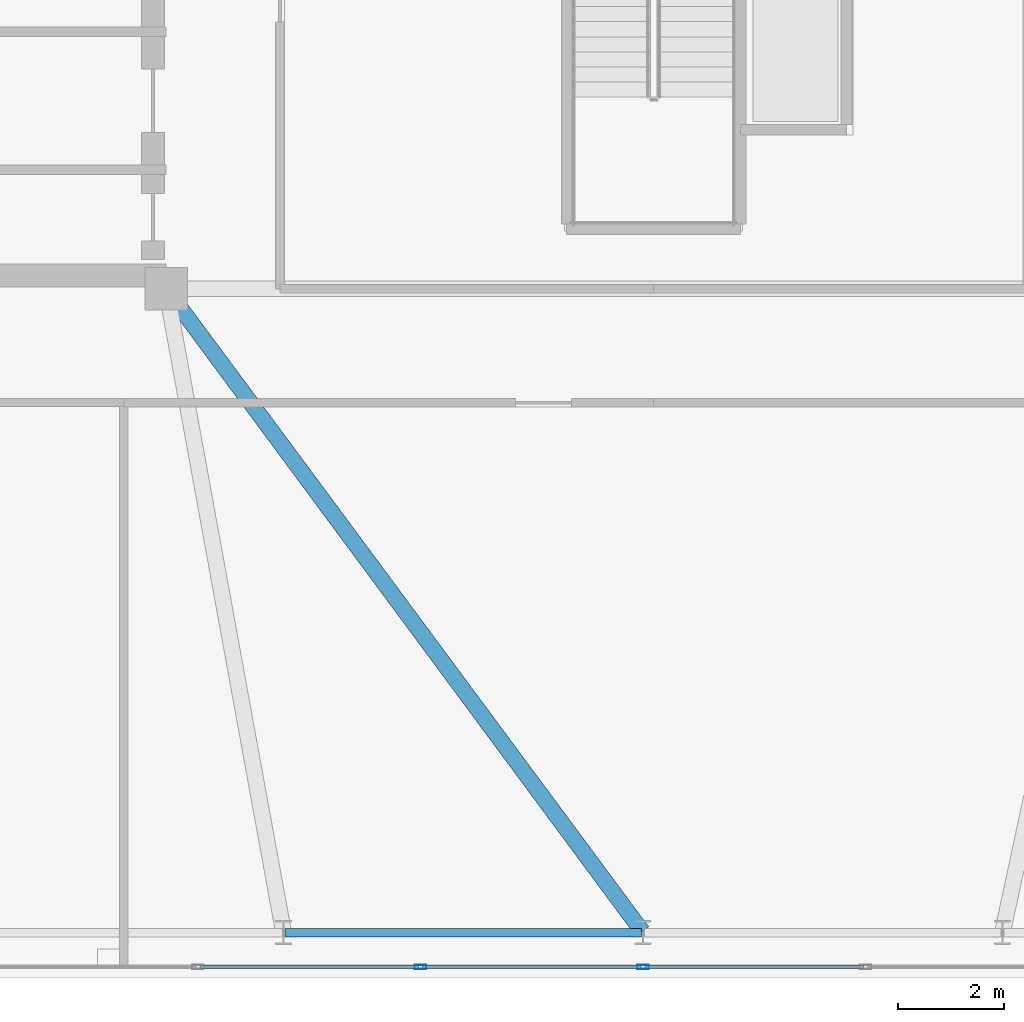
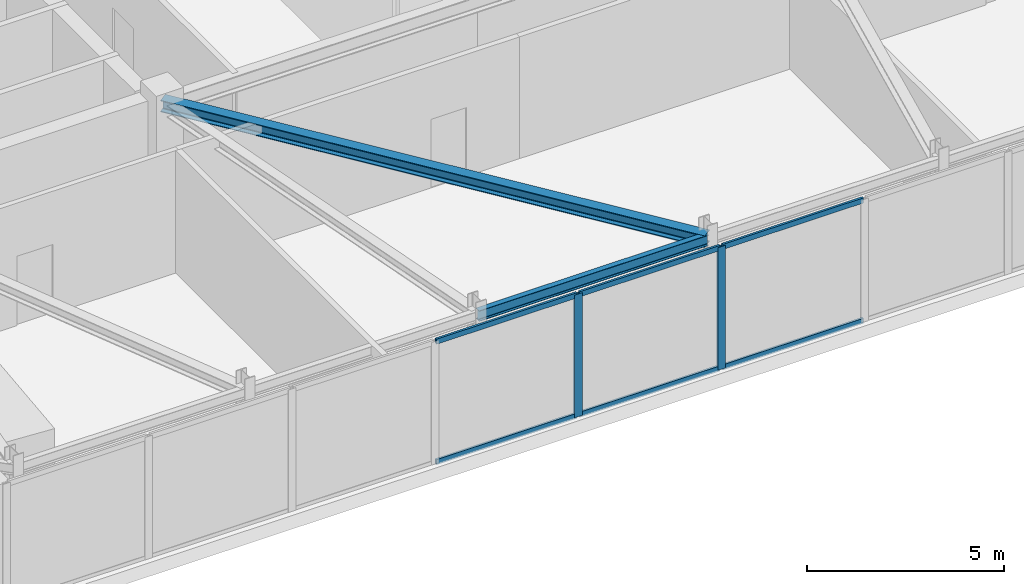
# One storey, part 7 of 27: 8 members, 2 beams, 1 element without a shape of its own.
"""IFC4 building model written with IfcOpenShell, lengths in metres."""

from ifc_helpers import new_model, si_unit, direction, frame, origin, origin_2d, place, context, subcontext, project, spatial, hollow_rectangle, i_section, extrude, material, layer, layer_set, material_profile, profile_set, type_object, element, aggregate, save


model = new_model("IFC4")

# Units and contexts
model_context = context("Model", 3, precision=1e-05, world=origin(), true_north=direction((0.0, 1.0)))
body_context = subcontext(model_context, "Body", "Model", "MODEL_VIEW")
ifc_project = project(units=[si_unit("LENGTHUNIT", "METRE"), si_unit("AREAUNIT", "SQUARE_METRE"), si_unit("VOLUMEUNIT", "CUBIC_METRE"), si_unit("PLANEANGLEUNIT", "RADIAN"), si_unit("MASSUNIT", "GRAM", prefix="KILO")], contexts=[model_context])

# Site, building, storey
site_placement = place(None, origin())
site = spatial("IfcSite", under=ifc_project, at=site_placement, CompositionType="ELEMENT")
building_placement = place(site_placement, origin())
building = spatial("IfcBuilding", under=site, at=building_placement, Name="Qobustan Lattice House", CompositionType="ELEMENT")
storey_placement = place(building_placement, frame((0.0, 0.0, 266.0)))
storey = spatial("IfcBuildingStorey", under=building, at=storey_placement, Name="L75", CompositionType="ELEMENT", Elevation=266.0)

# Beams
ifc_material_1 = material(Name="Steel S355", Category="steel")
ifc_material_profile_1 = material_profile(ifc_material_1, i_section(OverallWidth=0.300048828125, OverallDepth=0.360107421875, WebThickness=0.012451171875, FlangeThickness=0.0224609375, FilletRadius=0.027099609375, at=origin_2d()), Name="HEB360")
ifc_profile_set_1 = profile_set([ifc_material_profile_1], Name="Steel S355")
beam_type_1 = type_object("IfcBeamType", Name="BM-FLG-HEB360", PredefinedType="USERDEFINED", material=ifc_profile_set_1)
beam_1_placement = place(storey_placement, frame((-0.21484375, -17.72998046875, 3.6201171875), z_axis=(-0.595225226069, 0.803558915233, 0.0), x_axis=(-0.803558915233, -0.595225226069, 0.0)))
element("IfcBeam", 1, at=beam_1_placement, inside=storey, type_object=beam_type_1, Name="L75 primary floor girder RAD-S4", ObjectType="GIRDER", PredefinedType="USERDEFINED", context=body_context, shape_type="SweptSolid", body=[
    extrude(i_section(OverallWidth=0.300048828125, OverallDepth=0.360107421875, WebThickness=0.012451171875, FlangeThickness=0.0224609375, FilletRadius=0.027099609375, at=origin_2d()), origin(), (0.0, 0.0, 1.0), 15.0703125),
])
ifc_material_2 = material(Name="Steel S355", Category="steel")
ifc_material_profile_2 = material_profile(ifc_material_2, i_section(OverallWidth=0.159912109375, OverallDepth=0.330078125, WebThickness=0.007568359375, FlangeThickness=0.011474609375, FilletRadius=0.01806640625, at=origin_2d()), Name="IPE330")
ifc_profile_set_2 = profile_set([ifc_material_profile_2], Name="Steel S355")
beam_type_2 = type_object("IfcBeamType", Name="BM-SPD-IPE330", PredefinedType="SPANDREL", material=ifc_profile_set_2)
beam_2_placement = place(storey_placement, frame((-6.958251953125, -17.75, 3.635009765625), z_axis=(1.0, 0.0, 0.0), x_axis=(0.0, 1.0, 0.0)))
element("IfcBeam", 2, at=beam_2_placement, inside=storey, type_object=beam_type_2, Name="L75 perimeter spandrel S3-S4", PredefinedType="SPANDREL", context=body_context, shape_type="SweptSolid", body=[
    extrude(i_section(OverallWidth=0.159912109375, OverallDepth=0.330078125, WebThickness=0.007568359375, FlangeThickness=0.011474609375, FilletRadius=0.01806640625, at=origin_2d()), origin(), (0.0, 0.0, 1.0), 6.733154296875),
])

# Curtain wall, members
ifc_material_3 = material(Name="Anodised aluminium and low-E glazing", Category="aluminium")
ifc_layer = layer(ifc_material_3, 0.219970703125)
ifc_layer_set = layer_set([ifc_layer], Name="Anodised aluminium and low-E glazing")
curtain_wall_type = type_object("IfcCurtainWallType", Name="CW-OBS-01", PredefinedType="USERDEFINED", material=ifc_layer_set)
curtain_wall_placement = place(storey_placement, origin())
curtain_wall = element("IfcCurtainWall", 3, at=curtain_wall_placement, inside=storey, type_object=curtain_wall_type, Name="L75 S panoramic observation curtain wall", ObjectType="CURTAIN WALL", PredefinedType="USERDEFINED")
ifc_material_4 = material(Name="Anodised aluminium EN AW-6063 T6", Category="aluminium")
ifc_material_profile_3 = material_profile(ifc_material_4, hollow_rectangle(XDim=0.080078125, YDim=0.219970703125, WallThickness=0.0048828125, at=origin_2d()), Name="CWM-220x80")
ifc_profile_set_3 = profile_set([ifc_material_profile_3], Name="Anodised aluminium EN AW-6063 T6")
member_type_1 = type_object("IfcMemberType", Name="CWM-MAIN-220", PredefinedType="MULLION", material=ifc_profile_set_3)
member_1_placement = place(storey_placement, frame((-0.199951171875, -18.39990234375, 0.0), z_axis=(0.0, 0.0, 1.0), x_axis=(0.0, -1.0, 0.0)))
member_1 = element("IfcMember", 4, at=member_1_placement, type_object=member_type_1, Name="CW-OB mullion 6", PredefinedType="MULLION", context=body_context, shape_type="SweptSolid", body=[
    extrude(hollow_rectangle(XDim=0.080078125, YDim=0.219970703125, WallThickness=0.0048828125, at=origin_2d()), origin(), (0.0, 0.0, 1.0), 3.800048828125),
])
member_2_placement = place(storey_placement, frame((-4.39990234375, -18.39990234375, 0.0), z_axis=(0.0, 0.0, 1.0), x_axis=(0.0, -1.0, 0.0)))
member_2 = element("IfcMember", 5, at=member_2_placement, type_object=member_type_1, Name="CW-OB mullion 7", PredefinedType="MULLION", context=body_context, shape_type="SweptSolid", body=[
    extrude(hollow_rectangle(XDim=0.080078125, YDim=0.219970703125, WallThickness=0.0048828125, at=origin_2d()), origin(), (0.0, 0.0, 1.0), 3.800048828125),
])
ifc_material_5 = material(Name="Anodised aluminium EN AW-6063 T6", Category="aluminium")
ifc_material_profile_4 = material_profile(ifc_material_5, hollow_rectangle(XDim=0.06494140625, YDim=0.159912109375, WallThickness=0.00390625, at=origin_2d()), Name="CWT-160x65")
ifc_profile_set_4 = profile_set([ifc_material_profile_4], Name="Anodised aluminium EN AW-6063 T6")
member_type_2 = type_object("IfcMemberType", Name="CWT-HOR-160", PredefinedType="USERDEFINED", material=ifc_profile_set_4)
member_3_placement = place(storey_placement, frame((3.9599609375, -18.39990234375, 0.032470703125), z_axis=(-1.0, 0.0, 0.0), x_axis=(0.0, -1.0, 0.0)))
member_3 = element("IfcMember", 6, at=member_3_placement, type_object=member_type_2, Name="CW-OB transom 5.1", ObjectType="TRANSOM", PredefinedType="USERDEFINED", context=body_context, shape_type="SweptSolid", body=[
    extrude(hollow_rectangle(XDim=0.06494140625, YDim=0.159912109375, WallThickness=0.00390625, at=origin_2d()), origin(), (0.0, 0.0, 1.0), 4.119873046875),
])
member_4_placement = place(storey_placement, frame((3.9599609375, -18.39990234375, 3.767578125), z_axis=(-1.0, 0.0, 0.0), x_axis=(0.0, -1.0, 0.0)))
member_4 = element("IfcMember", 7, at=member_4_placement, type_object=member_type_2, Name="CW-OB transom 5.2", ObjectType="TRANSOM", PredefinedType="USERDEFINED", context=body_context, shape_type="SweptSolid", body=[
    extrude(hollow_rectangle(XDim=0.06494140625, YDim=0.159912109375, WallThickness=0.00390625, at=origin_2d()), origin(), (0.0, 0.0, 1.0), 4.119873046875),
])
member_5_placement = place(storey_placement, frame((-0.239990234375, -18.39990234375, 0.032470703125), z_axis=(-1.0, 0.0, 0.0), x_axis=(0.0, -1.0, 0.0)))
member_5 = element("IfcMember", 8, at=member_5_placement, type_object=member_type_2, Name="CW-OB transom 6.1", ObjectType="TRANSOM", PredefinedType="USERDEFINED", context=body_context, shape_type="SweptSolid", body=[
    extrude(hollow_rectangle(XDim=0.06494140625, YDim=0.159912109375, WallThickness=0.00390625, at=origin_2d()), origin(), (0.0, 0.0, 1.0), 4.1201171875),
])
member_6_placement = place(storey_placement, frame((-0.239990234375, -18.39990234375, 3.767578125), z_axis=(-1.0, 0.0, 0.0), x_axis=(0.0, -1.0, 0.0)))
member_6 = element("IfcMember", 9, at=member_6_placement, type_object=member_type_2, Name="CW-OB transom 6.2", ObjectType="TRANSOM", PredefinedType="USERDEFINED", context=body_context, shape_type="SweptSolid", body=[
    extrude(hollow_rectangle(XDim=0.06494140625, YDim=0.159912109375, WallThickness=0.00390625, at=origin_2d()), origin(), (0.0, 0.0, 1.0), 4.1201171875),
])
member_7_placement = place(storey_placement, frame((-4.43994140625, -18.39990234375, 0.032470703125), z_axis=(-1.0, 0.0, 0.0), x_axis=(0.0, -1.0, 0.0)))
member_7 = element("IfcMember", 10, at=member_7_placement, type_object=member_type_2, Name="CW-OB transom 7.1", ObjectType="TRANSOM", PredefinedType="USERDEFINED", context=body_context, shape_type="SweptSolid", body=[
    extrude(hollow_rectangle(XDim=0.06494140625, YDim=0.159912109375, WallThickness=0.00390625, at=origin_2d()), origin(), (0.0, 0.0, 1.0), 4.1201171875),
])
member_8_placement = place(storey_placement, frame((-4.43994140625, -18.39990234375, 3.767578125), z_axis=(-1.0, 0.0, 0.0), x_axis=(0.0, -1.0, 0.0)))
member_8 = element("IfcMember", 11, at=member_8_placement, type_object=member_type_2, Name="CW-OB transom 7.2", ObjectType="TRANSOM", PredefinedType="USERDEFINED", context=body_context, shape_type="SweptSolid", body=[
    extrude(hollow_rectangle(XDim=0.06494140625, YDim=0.159912109375, WallThickness=0.00390625, at=origin_2d()), origin(), (0.0, 0.0, 1.0), 4.1201171875),
])
aggregate(curtain_wall, [member_1, member_2, member_3, member_4, member_5, member_6, member_7, member_8])

save(model, "model.ifc")
